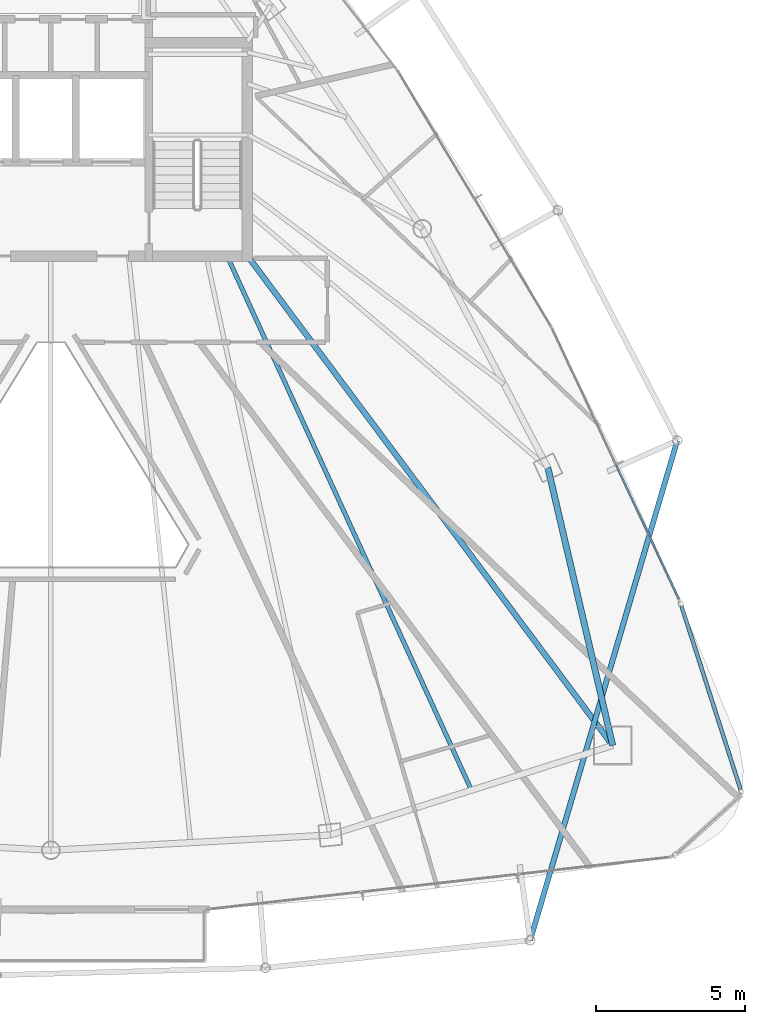
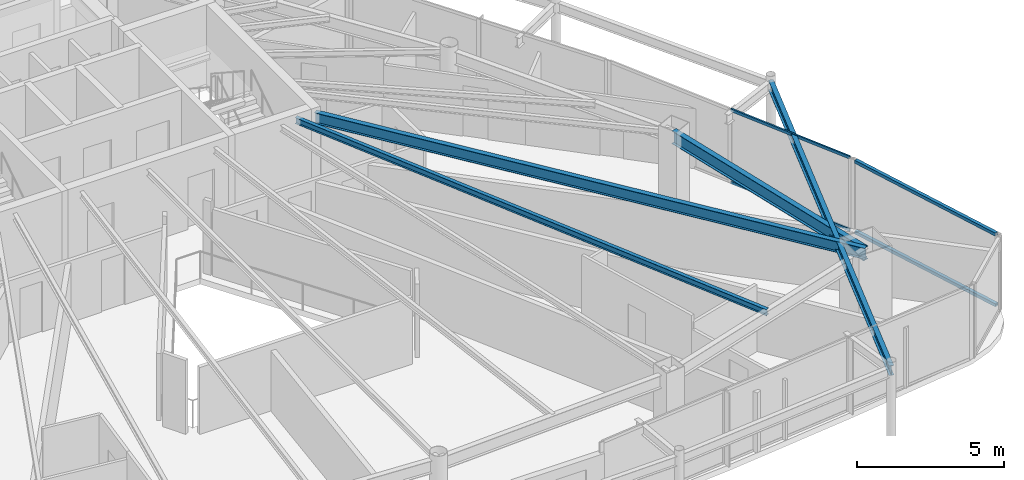
# One storey, part 16 of 32: 4 beams, 4 members, 2 elements without a shape of their own.
"""IFC4 building model written with IfcOpenShell, lengths in metres."""

from ifc_helpers import new_model, si_unit, direction, frame, origin, origin_2d, place, context, subcontext, project, spatial, hollow_rectangle, i_section, extrude, material, layer, layer_set, material_profile, profile_set, type_object, element, aggregate, save


model = new_model("IFC4")

# Units and contexts
model_context = context("Model", 3, precision=1e-05, world=origin(), true_north=direction((0.0, 1.0)))
body_context = subcontext(model_context, "Body", "Model", "MODEL_VIEW")
ifc_project = project(units=[si_unit("LENGTHUNIT", "METRE"), si_unit("AREAUNIT", "SQUARE_METRE"), si_unit("VOLUMEUNIT", "CUBIC_METRE"), si_unit("PLANEANGLEUNIT", "RADIAN"), si_unit("MASSUNIT", "GRAM", prefix="KILO")], contexts=[model_context])

# Site, building, storey
site_placement = place(None, origin())
site = spatial("IfcSite", under=ifc_project, at=site_placement, CompositionType="ELEMENT")
building_placement = place(site_placement, origin())
building = spatial("IfcBuilding", under=site, at=building_placement, Name="Orvanel Arch Residences", CompositionType="ELEMENT")
storey_placement = place(building_placement, frame((0.0, 0.0, 219.5)))
storey = spatial("IfcBuildingStorey", under=building, at=storey_placement, Name="L62", CompositionType="ELEMENT", Elevation=219.5)

# Beams
ifc_material_1 = material(Name="Structural steel AS/NZS 3679.1 Grade 300 (300 MPa)", Category="steel")
ifc_material_profile_1 = material_profile(ifc_material_1, i_section(OverallWidth=0.19091796875, OverallDepth=0.4599609375, WebThickness=0.010009765625, FlangeThickness=0.01611328125, at=origin_2d()), Name="460UB82.1")
ifc_profile_set_1 = profile_set([ifc_material_profile_1], Name="Structural steel AS/NZS 3679.1 Grade 300 (300 MPa)")
beam_type_1 = type_object("IfcBeamType", Name="BG-460UB", PredefinedType="BEAM", material=ifc_profile_set_1)
beam_1_placement = place(storey_placement, frame((39.625, 26.675048828125, 2.830078125), z_axis=(0.597893733742, -0.801575375839, 0.0), x_axis=(0.801575375839, 0.597893733742, 0.0)))
element("IfcBeam", 1, at=beam_1_placement, inside=storey, type_object=beam_type_1, Name="L62 South-East Radial Girder", PredefinedType="BEAM", context=body_context, shape_type="SweptSolid", body=[
    extrude(i_section(OverallWidth=0.19091796875, OverallDepth=0.4599609375, WebThickness=0.010009765625, FlangeThickness=0.01611328125, at=origin_2d()), origin(), (0.0, 0.0, 1.0), 20.36474609375),
])
ifc_material_profile_2 = material_profile(ifc_material_1, i_section(OverallWidth=0.14599609375, OverallDepth=0.251953125, WebThickness=0.006103515625, FlangeThickness=0.008544921875, at=origin_2d()), Name="250UB31.4")
ifc_profile_set_2 = profile_set([ifc_material_profile_2], Name="Structural steel AS/NZS 3679.1 Grade 300 (300 MPa)")
beam_type_2 = type_object("IfcBeamType", Name="BJ-250UB", PredefinedType="JOIST", material=ifc_profile_set_2)
beam_2_placement = place(storey_placement, frame((38.89990234375, 26.72509765625, 2.93408203125), z_axis=(0.416009574066, -0.909360233508, 0.0), x_axis=(0.909360233508, 0.416009574066, 0.0)))
element("IfcBeam", 2, at=beam_2_placement, inside=storey, type_object=beam_type_2, Name="L62 JADD2 Wing Floor Joist", PredefinedType="JOIST", context=body_context, shape_type="SweptSolid", body=[
    extrude(i_section(OverallWidth=0.14599609375, OverallDepth=0.251953125, WebThickness=0.006103515625, FlangeThickness=0.008544921875, at=origin_2d()), origin(), (0.0, 0.0, 1.0), 19.653564453125),
])
ifc_material_profile_3 = material_profile(ifc_material_1, i_section(OverallWidth=0.177978515625, OverallDepth=0.406005859375, WebThickness=0.0078125, FlangeThickness=0.0126953125, at=origin_2d()), Name="410UB59.7")
ifc_profile_set_3 = profile_set([ifc_material_profile_3], Name="Structural steel AS/NZS 3679.1 Grade 300 (300 MPa)")
beam_type_3 = type_object("IfcBeamType", Name="OB-410UB-EXT", PredefinedType="SPANDREL", material=ifc_profile_set_3)
beam_3_placement = place(storey_placement, frame((49.0400390625, 3.83203125, 2.85693359375), z_axis=(0.282380884619, 0.959302369434, 0.0), x_axis=(-0.959302369434, 0.282380884619, 0.0)))
element("IfcBeam", 3, at=beam_3_placement, inside=storey, type_object=beam_type_3, Name="L62 Outer Perimeter Floor Ring Beam 08", PredefinedType="SPANDREL", context=body_context, shape_type="SweptSolid", body=[
    extrude(i_section(OverallWidth=0.177978515625, OverallDepth=0.406005859375, WebThickness=0.0078125, FlangeThickness=0.0126953125, at=origin_2d()), origin(), (0.0, 0.0, 1.0), 17.433349609375),
])
ifc_material_profile_4 = material_profile(ifc_material_1, i_section(OverallWidth=0.208984375, OverallDepth=0.532958984375, WebThickness=0.01025390625, FlangeThickness=0.015625, at=origin_2d()), Name="530UB92.4")
ifc_profile_set_4 = profile_set([ifc_material_profile_4], Name="Structural steel AS/NZS 3679.1 Grade 300 (300 MPa)")
beam_type_4 = type_object("IfcBeamType", Name="SP-530UB", PredefinedType="SPANDREL", material=ifc_profile_set_4)
beam_4_placement = place(storey_placement, frame((51.801025390625, 10.35107421875, 2.79296875), z_axis=(-0.227236087167, 0.973839699688, 0.0), x_axis=(-0.973839699688, -0.227236087167, 0.0)))
element("IfcBeam", 4, at=beam_4_placement, inside=storey, type_object=beam_type_4, Name="L62 Perimeter Spandrel Beam 06", PredefinedType="SPANDREL", context=body_context, shape_type="SweptSolid", body=[
    extrude(i_section(OverallWidth=0.208984375, OverallDepth=0.532958984375, WebThickness=0.01025390625, FlangeThickness=0.015625, at=origin_2d()), origin(), (0.0, 0.0, 1.0), 9.54052734375),
])

# Curtain wall, members
ifc_material_2 = material(Name="Bronze-anodised aluminium AA6063-T6", Category="aluminium")
ifc_layer_1 = layer(ifc_material_2, 0.175048828125)
ifc_layer_set_1 = layer_set([ifc_layer_1], Name="Bronze-anodised aluminium AA6063-T6")
curtain_wall_type_1 = type_object("IfcCurtainWallType", Name="CW4-HI-SYS", PredefinedType="NOTDEFINED", material=ifc_layer_set_1)
curtain_wall_1_placement = place(storey_placement, origin())
curtain_wall_1 = element("IfcCurtainWall", 5, at=curtain_wall_1_placement, inside=storey, type_object=curtain_wall_type_1, Name="L62 CW4-HI-SYS Unitised Curtain Wall", PredefinedType="NOTDEFINED")
ifc_material_profile_5 = material_profile(ifc_material_2, hollow_rectangle(XDim=0.06005859375, YDim=0.1201171875, WallThickness=0.00341796875, at=origin_2d()), Name="ALU120x60x3.5")
ifc_profile_set_5 = profile_set([ifc_material_profile_5], Name="Bronze-anodised aluminium AA6063-T6")
member_type_1 = type_object("IfcMemberType", Name="TRN-120x60", PredefinedType="USERDEFINED", material=ifc_profile_set_5)
member_1_placement = place(storey_placement, frame((54.016357421875, 15.2548828125, 0.030029296875), z_axis=(-0.424084210865, 0.905622759263, 0.0), x_axis=(-0.905622759263, -0.424084210865, 0.0)))
member_1 = element("IfcMember", 6, at=member_1_placement, type_object=member_type_1, Name="CW-S4 transom 1.1", ObjectType="TRANSOM", PredefinedType="USERDEFINED", context=body_context, shape_type="SweptSolid", body=[
    extrude(hollow_rectangle(XDim=0.06005859375, YDim=0.1201171875, WallThickness=0.00341796875, at=origin_2d()), origin(), (0.0, 0.0, 1.0), 4.937744140625),
])
member_2_placement = place(storey_placement, frame((54.016357421875, 15.2548828125, 3.030029296875), z_axis=(-0.424084210865, 0.905622759263, 0.0), x_axis=(-0.905622759263, -0.424084210865, 0.0)))
member_2 = element("IfcMember", 7, at=member_2_placement, type_object=member_type_1, Name="CW-S4 transom 1.2", ObjectType="TRANSOM", PredefinedType="USERDEFINED", context=body_context, shape_type="SweptSolid", body=[
    extrude(hollow_rectangle(XDim=0.06005859375, YDim=0.1201171875, WallThickness=0.00341796875, at=origin_2d()), origin(), (0.0, 0.0, 1.0), 4.937744140625),
])
aggregate(curtain_wall_1, [member_1, member_2])

ifc_layer_2 = layer(ifc_material_2, 0.18994140625)
ifc_layer_set_2 = layer_set([ifc_layer_2], Name="Bronze-anodised aluminium AA6063-T6")
curtain_wall_type_2 = type_object("IfcCurtainWallType", Name="CW5-CRN-SYS", PredefinedType="NOTDEFINED", material=ifc_layer_set_2)
curtain_wall_2_placement = place(storey_placement, origin())
curtain_wall_2 = element("IfcCurtainWall", 8, at=curtain_wall_2_placement, inside=storey, type_object=curtain_wall_type_2, Name="L62 CW5-CRN-SYS Unitised Curtain Wall", PredefinedType="NOTDEFINED")
ifc_material_profile_6 = material_profile(ifc_material_2, hollow_rectangle(XDim=0.1298828125, YDim=0.1298828125, WallThickness=0.00439453125, at=origin_2d()), Name="ALU130x130x4.5")
ifc_profile_set_6 = profile_set([ifc_material_profile_6], Name="Bronze-anodised aluminium AA6063-T6")
member_type_2 = type_object("IfcMemberType", Name="TRN-130x130", PredefinedType="USERDEFINED", material=ifc_profile_set_6)
member_3_placement = place(storey_placement, frame((56.080078125, 8.8818359375, 0.06494140625), z_axis=(-0.306619789798, 0.951832077892, 0.0), x_axis=(-0.951832077892, -0.306619789798, 0.0)))
member_3 = element("IfcMember", 9, at=member_3_placement, type_object=member_type_2, Name="CW-S5 transom 1.1", ObjectType="TRANSOM", PredefinedType="USERDEFINED", context=body_context, shape_type="SweptSolid", body=[
    extrude(hollow_rectangle(XDim=0.1298828125, YDim=0.1298828125, WallThickness=0.00439453125, at=origin_2d()), origin(), (0.0, 0.0, 1.0), 6.44482421875),
])
member_4_placement = place(storey_placement, frame((56.080078125, 8.8818359375, 2.9951171875), z_axis=(-0.306619789798, 0.951832077892, 0.0), x_axis=(-0.951832077892, -0.306619789798, 0.0)))
member_4 = element("IfcMember", 10, at=member_4_placement, type_object=member_type_2, Name="CW-S5 transom 1.2", ObjectType="TRANSOM", PredefinedType="USERDEFINED", context=body_context, shape_type="SweptSolid", body=[
    extrude(hollow_rectangle(XDim=0.1298828125, YDim=0.1298828125, WallThickness=0.00439453125, at=origin_2d()), origin(), (0.0, 0.0, 1.0), 6.44482421875),
])
aggregate(curtain_wall_2, [member_3, member_4])

save(model, "model.ifc")
